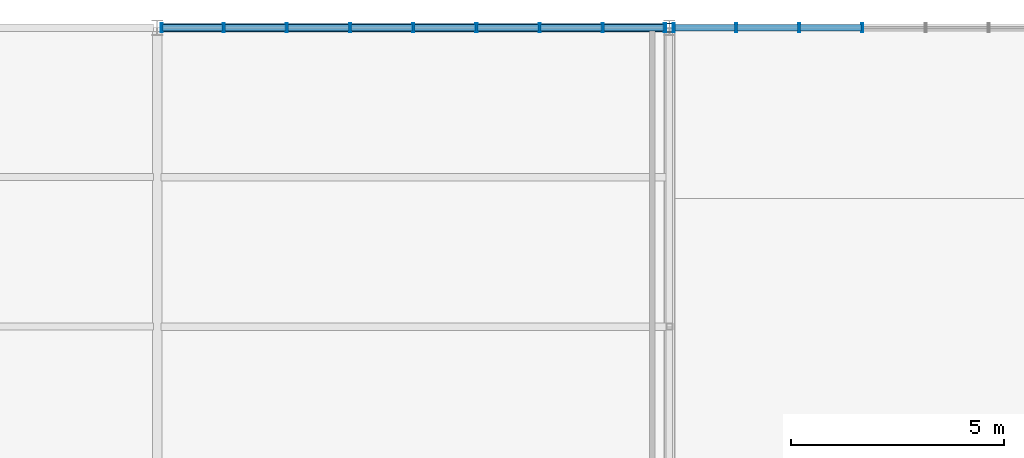
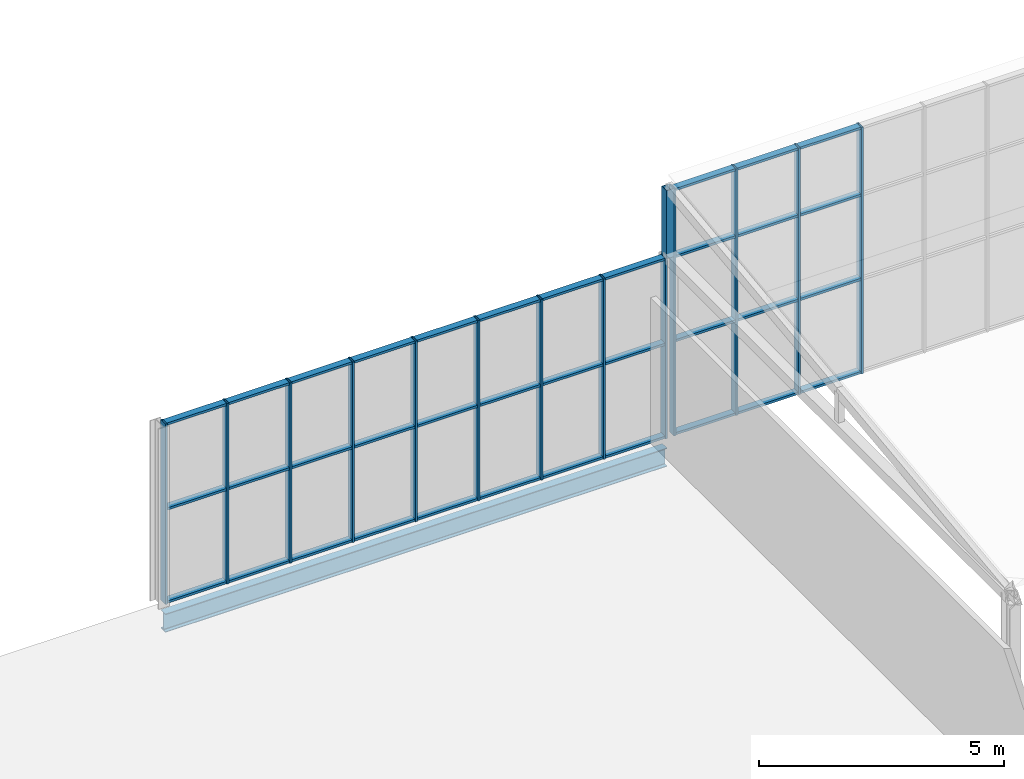
# One storey, part 77 of 104: 50 members, 1 beam, 2 elements without a shape of their own.
"""IFC4 building model written with IfcOpenShell, lengths in metres."""

from ifc_helpers import new_model, si_unit, direction, frame, origin, origin_2d, place, context, subcontext, project, spatial, hollow_rectangle, i_section, extrude, material, layer, layer_set, material_profile, profile_set, type_object, element, aggregate, save


model = new_model("IFC4")

# Units and contexts
model_context = context("Model", 3, precision=1e-05, world=origin(), true_north=direction((0.0, 1.0)))
body_context = subcontext(model_context, "Body", "Model", "MODEL_VIEW")
ifc_project = project(units=[si_unit("LENGTHUNIT", "METRE"), si_unit("AREAUNIT", "SQUARE_METRE"), si_unit("VOLUMEUNIT", "CUBIC_METRE"), si_unit("PLANEANGLEUNIT", "RADIAN"), si_unit("MASSUNIT", "GRAM", prefix="KILO")], contexts=[model_context])

# Site, building, storey
site_placement = place(None, origin())
site = spatial("IfcSite", under=ifc_project, at=site_placement, CompositionType="ELEMENT")
building_placement = place(site_placement, origin())
building = spatial("IfcBuilding", under=site, at=building_placement, Name="Solvenia Promenade Tram Depot", CompositionType="ELEMENT")
storey_placement = place(building_placement, frame((0.0, 0.0, 9.0)))
storey = spatial("IfcBuildingStorey", under=building, at=storey_placement, Name="L02", CompositionType="ELEMENT", Elevation=9.0)

# Curtain wall, members
ifc_material_1 = material(Name="Anodized aluminium AW-6063 T6", Category="aluminium")
ifc_layer = layer(ifc_material_1, 0.080078125, Name="Anodized aluminium AW-6063 T6", Category="aluminium")
ifc_layer_set = layer_set([ifc_layer], Name="Anodized aluminium AW-6063 T6")
curtain_wall_type = type_object("IfcCurtainWallType", Name="CW-Clerest-1500", PredefinedType="NOTDEFINED", material=ifc_layer_set)
curtain_wall_1_placement = place(storey_placement, origin())
curtain_wall_1 = element("IfcCurtainWall", 1, at=curtain_wall_1_placement, inside=storey, type_object=curtain_wall_type, Name="Curtain Wall CW-V2N-L2-150", PredefinedType="NOTDEFINED")
ifc_material_profile_1 = material_profile(ifc_material_1, hollow_rectangle(XDim=0.199951171875, YDim=0.048095703125, WallThickness=0.00390625, at=origin_2d()), Name="ALU-M3", Category="aluminium")
ifc_profile_set_1 = profile_set([ifc_material_profile_1], Name="Anodized aluminium AW-6063 T6")
member_type_1 = type_object("IfcMemberType", Name="CWM-Mullion-3", PredefinedType="MULLION", material=ifc_profile_set_1)
member_1_placement = place(storey_placement, frame((150.10400390625, 66.0, 0.0), z_axis=(0.0, 0.0, 1.0), x_axis=(0.0, 1.0, 0.0)))
member_1 = element("IfcMember", 2, at=member_1_placement, type_object=member_type_1, Name="CW-4 mullion 1", PredefinedType="MULLION", context=body_context, shape_type="SweptSolid", body=[
    extrude(hollow_rectangle(XDim=0.199951171875, YDim=0.048095703125, WallThickness=0.00390625, at=origin_2d()), origin(), (0.0, 0.0, 1.0), 4.5),
])
member_2_placement = place(storey_placement, frame((151.56005859375, 66.0, 0.0), z_axis=(0.0, 0.0, 1.0), x_axis=(0.0, 1.0, 0.0)))
member_2 = element("IfcMember", 3, at=member_2_placement, type_object=member_type_1, Name="CW-4 mullion 2", PredefinedType="MULLION", context=body_context, shape_type="SweptSolid", body=[
    extrude(hollow_rectangle(XDim=0.199951171875, YDim=0.048095703125, WallThickness=0.00390625, at=origin_2d()), origin(), (0.0, 0.0, 1.0), 4.5),
])
member_3_placement = place(storey_placement, frame((153.0400390625, 66.0, 0.0), z_axis=(0.0, 0.0, 1.0), x_axis=(0.0, 1.0, 0.0)))
member_3 = element("IfcMember", 4, at=member_3_placement, type_object=member_type_1, Name="CW-4 mullion 3", PredefinedType="MULLION", context=body_context, shape_type="SweptSolid", body=[
    extrude(hollow_rectangle(XDim=0.199951171875, YDim=0.048095703125, WallThickness=0.00390625, at=origin_2d()), origin(), (0.0, 0.0, 1.0), 4.5),
])
member_4_placement = place(storey_placement, frame((154.52001953125, 66.0, 0.0), z_axis=(0.0, 0.0, 1.0), x_axis=(0.0, 1.0, 0.0)))
member_4 = element("IfcMember", 5, at=member_4_placement, type_object=member_type_1, Name="CW-4 mullion 4", PredefinedType="MULLION", context=body_context, shape_type="SweptSolid", body=[
    extrude(hollow_rectangle(XDim=0.199951171875, YDim=0.048095703125, WallThickness=0.00390625, at=origin_2d()), origin(), (0.0, 0.0, 1.0), 4.5),
])
member_5_placement = place(storey_placement, frame((156.0, 66.0, 0.0), z_axis=(0.0, 0.0, 1.0), x_axis=(0.0, 1.0, 0.0)))
member_5 = element("IfcMember", 6, at=member_5_placement, type_object=member_type_1, Name="CW-4 mullion 5", PredefinedType="MULLION", context=body_context, shape_type="SweptSolid", body=[
    extrude(hollow_rectangle(XDim=0.199951171875, YDim=0.048095703125, WallThickness=0.00390625, at=origin_2d()), origin(), (0.0, 0.0, 1.0), 4.5),
])
member_6_placement = place(storey_placement, frame((157.47998046875, 66.0, 0.0), z_axis=(0.0, 0.0, 1.0), x_axis=(0.0, 1.0, 0.0)))
member_6 = element("IfcMember", 7, at=member_6_placement, type_object=member_type_1, Name="CW-4 mullion 6", PredefinedType="MULLION", context=body_context, shape_type="SweptSolid", body=[
    extrude(hollow_rectangle(XDim=0.199951171875, YDim=0.048095703125, WallThickness=0.00390625, at=origin_2d()), origin(), (0.0, 0.0, 1.0), 4.5),
])
member_7_placement = place(storey_placement, frame((158.9599609375, 66.0, 0.0), z_axis=(0.0, 0.0, 1.0), x_axis=(0.0, 1.0, 0.0)))
member_7 = element("IfcMember", 8, at=member_7_placement, type_object=member_type_1, Name="CW-4 mullion 7", PredefinedType="MULLION", context=body_context, shape_type="SweptSolid", body=[
    extrude(hollow_rectangle(XDim=0.199951171875, YDim=0.048095703125, WallThickness=0.00390625, at=origin_2d()), origin(), (0.0, 0.0, 1.0), 4.5),
])
member_8_placement = place(storey_placement, frame((160.43994140625, 66.0, 0.0), z_axis=(0.0, 0.0, 1.0), x_axis=(0.0, 1.0, 0.0)))
member_8 = element("IfcMember", 9, at=member_8_placement, type_object=member_type_1, Name="CW-4 mullion 8", PredefinedType="MULLION", context=body_context, shape_type="SweptSolid", body=[
    extrude(hollow_rectangle(XDim=0.199951171875, YDim=0.048095703125, WallThickness=0.00390625, at=origin_2d()), origin(), (0.0, 0.0, 1.0), 4.5),
])
member_9_placement = place(storey_placement, frame((161.89599609375, 66.0, 0.0), z_axis=(0.0, 0.0, 1.0), x_axis=(0.0, 1.0, 0.0)))
member_9 = element("IfcMember", 10, at=member_9_placement, type_object=member_type_1, Name="CW-4 mullion 9", PredefinedType="MULLION", context=body_context, shape_type="SweptSolid", body=[
    extrude(hollow_rectangle(XDim=0.199951171875, YDim=0.048095703125, WallThickness=0.00390625, at=origin_2d()), origin(), (0.0, 0.0, 1.0), 4.5),
])

curtain_wall_2_placement = place(storey_placement, origin())
curtain_wall_2 = element("IfcCurtainWall", 11, at=curtain_wall_2_placement, inside=storey, type_object=curtain_wall_type, Name="Curtain Wall CW-V2N-L2-162", PredefinedType="NOTDEFINED")
member_10_placement = place(storey_placement, frame((162.10400390625, 66.0, 0.0), z_axis=(0.0, 0.0, 1.0), x_axis=(0.0, 1.0, 0.0)))
member_10 = element("IfcMember", 12, at=member_10_placement, type_object=member_type_1, Name="CW-4 mullion 1", PredefinedType="MULLION", context=body_context, shape_type="SweptSolid", body=[
    extrude(hollow_rectangle(XDim=0.199951171875, YDim=0.048095703125, WallThickness=0.00390625, at=origin_2d()), origin(), (0.0, 0.0, 1.0), 6.14990234375),
])
member_11_placement = place(storey_placement, frame((163.56005859375, 66.0, 0.0), z_axis=(0.0, 0.0, 1.0), x_axis=(0.0, 1.0, 0.0)))
member_11 = element("IfcMember", 13, at=member_11_placement, type_object=member_type_1, Name="CW-4 mullion 2", PredefinedType="MULLION", context=body_context, shape_type="SweptSolid", body=[
    extrude(hollow_rectangle(XDim=0.199951171875, YDim=0.048095703125, WallThickness=0.00390625, at=origin_2d()), origin(), (0.0, 0.0, 1.0), 6.14990234375),
])
member_12_placement = place(storey_placement, frame((165.0400390625, 66.0, 0.0), z_axis=(0.0, 0.0, 1.0), x_axis=(0.0, 1.0, 0.0)))
member_12 = element("IfcMember", 14, at=member_12_placement, type_object=member_type_1, Name="CW-4 mullion 3", PredefinedType="MULLION", context=body_context, shape_type="SweptSolid", body=[
    extrude(hollow_rectangle(XDim=0.199951171875, YDim=0.048095703125, WallThickness=0.00390625, at=origin_2d()), origin(), (0.0, 0.0, 1.0), 6.14990234375),
])
member_13_placement = place(storey_placement, frame((166.52001953125, 66.0, 0.0), z_axis=(0.0, 0.0, 1.0), x_axis=(0.0, 1.0, 0.0)))
member_13 = element("IfcMember", 15, at=member_13_placement, type_object=member_type_1, Name="CW-4 mullion 4", PredefinedType="MULLION", context=body_context, shape_type="SweptSolid", body=[
    extrude(hollow_rectangle(XDim=0.199951171875, YDim=0.048095703125, WallThickness=0.00390625, at=origin_2d()), origin(), (0.0, 0.0, 1.0), 6.14990234375),
])

# Member
ifc_material_profile_2 = material_profile(ifc_material_1, hollow_rectangle(XDim=0.159912109375, YDim=0.05810546875, WallThickness=0.00390625, at=origin_2d()), Name="ALU-T3", Category="aluminium")
ifc_profile_set_2 = profile_set([ifc_material_profile_2], Name="Anodized aluminium AW-6063 T6")
member_type_2 = type_object("IfcMemberType", Name="CWT-Transom-3", PredefinedType="USERDEFINED", material=ifc_profile_set_2)
member_14_placement = place(storey_placement, frame((150.1279296875, 66.0, 0.029052734375), z_axis=(1.0, 0.0, 0.0), x_axis=(0.0, 1.0, 0.0)))
member_14 = element("IfcMember", 16, at=member_14_placement, type_object=member_type_2, Name="CW-4 transom 1.1", ObjectType="TRANSOM", PredefinedType="USERDEFINED", context=body_context, shape_type="SweptSolid", body=[
    extrude(hollow_rectangle(XDim=0.159912109375, YDim=0.05810546875, WallThickness=0.00390625, at=origin_2d()), origin(), (0.0, 0.0, 1.0), 1.407958984375),
])

member_15_placement = place(storey_placement, frame((150.1279296875, 66.0, 2.35009765625), z_axis=(1.0, 0.0, 0.0), x_axis=(0.0, 1.0, 0.0)))
member_15 = element("IfcMember", 17, at=member_15_placement, type_object=member_type_2, Name="CW-4 transom 1.2", ObjectType="TRANSOM", PredefinedType="USERDEFINED", context=body_context, shape_type="SweptSolid", body=[
    extrude(hollow_rectangle(XDim=0.159912109375, YDim=0.05810546875, WallThickness=0.00390625, at=origin_2d()), origin(), (0.0, 0.0, 1.0), 1.407958984375),
])

member_16_placement = place(storey_placement, frame((150.1279296875, 66.0, 4.470947265625), z_axis=(1.0, 0.0, 0.0), x_axis=(0.0, 1.0, 0.0)))
member_16 = element("IfcMember", 18, at=member_16_placement, type_object=member_type_2, Name="CW-4 transom 1.3", ObjectType="TRANSOM", PredefinedType="USERDEFINED", context=body_context, shape_type="SweptSolid", body=[
    extrude(hollow_rectangle(XDim=0.159912109375, YDim=0.05810546875, WallThickness=0.00390625, at=origin_2d()), origin(), (0.0, 0.0, 1.0), 1.407958984375),
])

member_17_placement = place(storey_placement, frame((151.583984375, 66.0, 0.029052734375), z_axis=(1.0, 0.0, 0.0), x_axis=(0.0, 1.0, 0.0)))
member_17 = element("IfcMember", 19, at=member_17_placement, type_object=member_type_2, Name="CW-4 transom 2.1", ObjectType="TRANSOM", PredefinedType="USERDEFINED", context=body_context, shape_type="SweptSolid", body=[
    extrude(hollow_rectangle(XDim=0.159912109375, YDim=0.05810546875, WallThickness=0.00390625, at=origin_2d()), origin(), (0.0, 0.0, 1.0), 1.43212890625),
])

member_18_placement = place(storey_placement, frame((151.583984375, 66.0, 2.35009765625), z_axis=(1.0, 0.0, 0.0), x_axis=(0.0, 1.0, 0.0)))
member_18 = element("IfcMember", 20, at=member_18_placement, type_object=member_type_2, Name="CW-4 transom 2.2", ObjectType="TRANSOM", PredefinedType="USERDEFINED", context=body_context, shape_type="SweptSolid", body=[
    extrude(hollow_rectangle(XDim=0.159912109375, YDim=0.05810546875, WallThickness=0.00390625, at=origin_2d()), origin(), (0.0, 0.0, 1.0), 1.43212890625),
])

member_19_placement = place(storey_placement, frame((151.583984375, 66.0, 4.470947265625), z_axis=(1.0, 0.0, 0.0), x_axis=(0.0, 1.0, 0.0)))
member_19 = element("IfcMember", 21, at=member_19_placement, type_object=member_type_2, Name="CW-4 transom 2.3", ObjectType="TRANSOM", PredefinedType="USERDEFINED", context=body_context, shape_type="SweptSolid", body=[
    extrude(hollow_rectangle(XDim=0.159912109375, YDim=0.05810546875, WallThickness=0.00390625, at=origin_2d()), origin(), (0.0, 0.0, 1.0), 1.43212890625),
])

member_20_placement = place(storey_placement, frame((153.06396484375, 66.0, 0.029052734375), z_axis=(1.0, 0.0, 0.0), x_axis=(0.0, 1.0, 0.0)))
member_20 = element("IfcMember", 22, at=member_20_placement, type_object=member_type_2, Name="CW-4 transom 3.1", ObjectType="TRANSOM", PredefinedType="USERDEFINED", context=body_context, shape_type="SweptSolid", body=[
    extrude(hollow_rectangle(XDim=0.159912109375, YDim=0.05810546875, WallThickness=0.00390625, at=origin_2d()), origin(), (0.0, 0.0, 1.0), 1.43212890625),
])

member_21_placement = place(storey_placement, frame((153.06396484375, 66.0, 2.35009765625), z_axis=(1.0, 0.0, 0.0), x_axis=(0.0, 1.0, 0.0)))
member_21 = element("IfcMember", 23, at=member_21_placement, type_object=member_type_2, Name="CW-4 transom 3.2", ObjectType="TRANSOM", PredefinedType="USERDEFINED", context=body_context, shape_type="SweptSolid", body=[
    extrude(hollow_rectangle(XDim=0.159912109375, YDim=0.05810546875, WallThickness=0.00390625, at=origin_2d()), origin(), (0.0, 0.0, 1.0), 1.43212890625),
])

member_22_placement = place(storey_placement, frame((153.06396484375, 66.0, 4.470947265625), z_axis=(1.0, 0.0, 0.0), x_axis=(0.0, 1.0, 0.0)))
member_22 = element("IfcMember", 24, at=member_22_placement, type_object=member_type_2, Name="CW-4 transom 3.3", ObjectType="TRANSOM", PredefinedType="USERDEFINED", context=body_context, shape_type="SweptSolid", body=[
    extrude(hollow_rectangle(XDim=0.159912109375, YDim=0.05810546875, WallThickness=0.00390625, at=origin_2d()), origin(), (0.0, 0.0, 1.0), 1.43212890625),
])

member_23_placement = place(storey_placement, frame((154.5439453125, 66.0, 0.029052734375), z_axis=(1.0, 0.0, 0.0), x_axis=(0.0, 1.0, 0.0)))
member_23 = element("IfcMember", 25, at=member_23_placement, type_object=member_type_2, Name="CW-4 transom 4.1", ObjectType="TRANSOM", PredefinedType="USERDEFINED", context=body_context, shape_type="SweptSolid", body=[
    extrude(hollow_rectangle(XDim=0.159912109375, YDim=0.05810546875, WallThickness=0.00390625, at=origin_2d()), origin(), (0.0, 0.0, 1.0), 1.43212890625),
])

member_24_placement = place(storey_placement, frame((154.5439453125, 66.0, 2.35009765625), z_axis=(1.0, 0.0, 0.0), x_axis=(0.0, 1.0, 0.0)))
member_24 = element("IfcMember", 26, at=member_24_placement, type_object=member_type_2, Name="CW-4 transom 4.2", ObjectType="TRANSOM", PredefinedType="USERDEFINED", context=body_context, shape_type="SweptSolid", body=[
    extrude(hollow_rectangle(XDim=0.159912109375, YDim=0.05810546875, WallThickness=0.00390625, at=origin_2d()), origin(), (0.0, 0.0, 1.0), 1.43212890625),
])

member_25_placement = place(storey_placement, frame((154.5439453125, 66.0, 4.470947265625), z_axis=(1.0, 0.0, 0.0), x_axis=(0.0, 1.0, 0.0)))
member_25 = element("IfcMember", 27, at=member_25_placement, type_object=member_type_2, Name="CW-4 transom 4.3", ObjectType="TRANSOM", PredefinedType="USERDEFINED", context=body_context, shape_type="SweptSolid", body=[
    extrude(hollow_rectangle(XDim=0.159912109375, YDim=0.05810546875, WallThickness=0.00390625, at=origin_2d()), origin(), (0.0, 0.0, 1.0), 1.43212890625),
])

member_26_placement = place(storey_placement, frame((156.02392578125, 66.0, 0.029052734375), z_axis=(1.0, 0.0, 0.0), x_axis=(0.0, 1.0, 0.0)))
member_26 = element("IfcMember", 28, at=member_26_placement, type_object=member_type_2, Name="CW-4 transom 5.1", ObjectType="TRANSOM", PredefinedType="USERDEFINED", context=body_context, shape_type="SweptSolid", body=[
    extrude(hollow_rectangle(XDim=0.159912109375, YDim=0.05810546875, WallThickness=0.00390625, at=origin_2d()), origin(), (0.0, 0.0, 1.0), 1.43212890625),
])

member_27_placement = place(storey_placement, frame((156.02392578125, 66.0, 2.35009765625), z_axis=(1.0, 0.0, 0.0), x_axis=(0.0, 1.0, 0.0)))
member_27 = element("IfcMember", 29, at=member_27_placement, type_object=member_type_2, Name="CW-4 transom 5.2", ObjectType="TRANSOM", PredefinedType="USERDEFINED", context=body_context, shape_type="SweptSolid", body=[
    extrude(hollow_rectangle(XDim=0.159912109375, YDim=0.05810546875, WallThickness=0.00390625, at=origin_2d()), origin(), (0.0, 0.0, 1.0), 1.43212890625),
])

member_28_placement = place(storey_placement, frame((156.02392578125, 66.0, 4.470947265625), z_axis=(1.0, 0.0, 0.0), x_axis=(0.0, 1.0, 0.0)))
member_28 = element("IfcMember", 30, at=member_28_placement, type_object=member_type_2, Name="CW-4 transom 5.3", ObjectType="TRANSOM", PredefinedType="USERDEFINED", context=body_context, shape_type="SweptSolid", body=[
    extrude(hollow_rectangle(XDim=0.159912109375, YDim=0.05810546875, WallThickness=0.00390625, at=origin_2d()), origin(), (0.0, 0.0, 1.0), 1.43212890625),
])

member_29_placement = place(storey_placement, frame((157.50390625, 66.0, 0.029052734375), z_axis=(1.0, 0.0, 0.0), x_axis=(0.0, 1.0, 0.0)))
member_29 = element("IfcMember", 31, at=member_29_placement, type_object=member_type_2, Name="CW-4 transom 6.1", ObjectType="TRANSOM", PredefinedType="USERDEFINED", context=body_context, shape_type="SweptSolid", body=[
    extrude(hollow_rectangle(XDim=0.159912109375, YDim=0.05810546875, WallThickness=0.00390625, at=origin_2d()), origin(), (0.0, 0.0, 1.0), 1.43212890625),
])

member_30_placement = place(storey_placement, frame((157.50390625, 66.0, 2.35009765625), z_axis=(1.0, 0.0, 0.0), x_axis=(0.0, 1.0, 0.0)))
member_30 = element("IfcMember", 32, at=member_30_placement, type_object=member_type_2, Name="CW-4 transom 6.2", ObjectType="TRANSOM", PredefinedType="USERDEFINED", context=body_context, shape_type="SweptSolid", body=[
    extrude(hollow_rectangle(XDim=0.159912109375, YDim=0.05810546875, WallThickness=0.00390625, at=origin_2d()), origin(), (0.0, 0.0, 1.0), 1.43212890625),
])

member_31_placement = place(storey_placement, frame((157.50390625, 66.0, 4.470947265625), z_axis=(1.0, 0.0, 0.0), x_axis=(0.0, 1.0, 0.0)))
member_31 = element("IfcMember", 33, at=member_31_placement, type_object=member_type_2, Name="CW-4 transom 6.3", ObjectType="TRANSOM", PredefinedType="USERDEFINED", context=body_context, shape_type="SweptSolid", body=[
    extrude(hollow_rectangle(XDim=0.159912109375, YDim=0.05810546875, WallThickness=0.00390625, at=origin_2d()), origin(), (0.0, 0.0, 1.0), 1.43212890625),
])

member_32_placement = place(storey_placement, frame((158.98388671875, 66.0, 0.029052734375), z_axis=(1.0, 0.0, 0.0), x_axis=(0.0, 1.0, 0.0)))
member_32 = element("IfcMember", 34, at=member_32_placement, type_object=member_type_2, Name="CW-4 transom 7.1", ObjectType="TRANSOM", PredefinedType="USERDEFINED", context=body_context, shape_type="SweptSolid", body=[
    extrude(hollow_rectangle(XDim=0.159912109375, YDim=0.05810546875, WallThickness=0.00390625, at=origin_2d()), origin(), (0.0, 0.0, 1.0), 1.43212890625),
])

member_33_placement = place(storey_placement, frame((158.98388671875, 66.0, 2.35009765625), z_axis=(1.0, 0.0, 0.0), x_axis=(0.0, 1.0, 0.0)))
member_33 = element("IfcMember", 35, at=member_33_placement, type_object=member_type_2, Name="CW-4 transom 7.2", ObjectType="TRANSOM", PredefinedType="USERDEFINED", context=body_context, shape_type="SweptSolid", body=[
    extrude(hollow_rectangle(XDim=0.159912109375, YDim=0.05810546875, WallThickness=0.00390625, at=origin_2d()), origin(), (0.0, 0.0, 1.0), 1.43212890625),
])

member_34_placement = place(storey_placement, frame((158.98388671875, 66.0, 4.470947265625), z_axis=(1.0, 0.0, 0.0), x_axis=(0.0, 1.0, 0.0)))
member_34 = element("IfcMember", 36, at=member_34_placement, type_object=member_type_2, Name="CW-4 transom 7.3", ObjectType="TRANSOM", PredefinedType="USERDEFINED", context=body_context, shape_type="SweptSolid", body=[
    extrude(hollow_rectangle(XDim=0.159912109375, YDim=0.05810546875, WallThickness=0.00390625, at=origin_2d()), origin(), (0.0, 0.0, 1.0), 1.43212890625),
])

member_35_placement = place(storey_placement, frame((160.464111328125, 66.0, 0.029052734375), z_axis=(1.0, 0.0, 0.0), x_axis=(0.0, 1.0, 0.0)))
member_35 = element("IfcMember", 37, at=member_35_placement, type_object=member_type_2, Name="CW-4 transom 8.1", ObjectType="TRANSOM", PredefinedType="USERDEFINED", context=body_context, shape_type="SweptSolid", body=[
    extrude(hollow_rectangle(XDim=0.159912109375, YDim=0.05810546875, WallThickness=0.00390625, at=origin_2d()), origin(), (0.0, 0.0, 1.0), 1.407958984375),
])

member_36_placement = place(storey_placement, frame((160.464111328125, 66.0, 2.35009765625), z_axis=(1.0, 0.0, 0.0), x_axis=(0.0, 1.0, 0.0)))
member_36 = element("IfcMember", 38, at=member_36_placement, type_object=member_type_2, Name="CW-4 transom 8.2", ObjectType="TRANSOM", PredefinedType="USERDEFINED", context=body_context, shape_type="SweptSolid", body=[
    extrude(hollow_rectangle(XDim=0.159912109375, YDim=0.05810546875, WallThickness=0.00390625, at=origin_2d()), origin(), (0.0, 0.0, 1.0), 1.407958984375),
])

member_37_placement = place(storey_placement, frame((160.464111328125, 66.0, 4.470947265625), z_axis=(1.0, 0.0, 0.0), x_axis=(0.0, 1.0, 0.0)))
member_37 = element("IfcMember", 39, at=member_37_placement, type_object=member_type_2, Name="CW-4 transom 8.3", ObjectType="TRANSOM", PredefinedType="USERDEFINED", context=body_context, shape_type="SweptSolid", body=[
    extrude(hollow_rectangle(XDim=0.159912109375, YDim=0.05810546875, WallThickness=0.00390625, at=origin_2d()), origin(), (0.0, 0.0, 1.0), 1.407958984375),
])

aggregate(curtain_wall_1, [member_1, member_2, member_3, member_4, member_5, member_6, member_7, member_8, member_9, member_14, member_15, member_16, member_17, member_18, member_19, member_20, member_21, member_22, member_23, member_24, member_25, member_26, member_27, member_28, member_29, member_30, member_31, member_32, member_33, member_34, member_35, member_36, member_37])

member_38_placement = place(storey_placement, frame((162.1279296875, 66.0, 0.029052734375), z_axis=(1.0, 0.0, 0.0), x_axis=(0.0, 1.0, 0.0)))
member_38 = element("IfcMember", 40, at=member_38_placement, type_object=member_type_2, Name="CW-4 transom 1.1", ObjectType="TRANSOM", PredefinedType="USERDEFINED", context=body_context, shape_type="SweptSolid", body=[
    extrude(hollow_rectangle(XDim=0.159912109375, YDim=0.05810546875, WallThickness=0.00390625, at=origin_2d()), origin(), (0.0, 0.0, 1.0), 1.407958984375),
])

member_39_placement = place(storey_placement, frame((162.1279296875, 66.0, 2.35009765625), z_axis=(1.0, 0.0, 0.0), x_axis=(0.0, 1.0, 0.0)))
member_39 = element("IfcMember", 41, at=member_39_placement, type_object=member_type_2, Name="CW-4 transom 1.2", ObjectType="TRANSOM", PredefinedType="USERDEFINED", context=body_context, shape_type="SweptSolid", body=[
    extrude(hollow_rectangle(XDim=0.159912109375, YDim=0.05810546875, WallThickness=0.00390625, at=origin_2d()), origin(), (0.0, 0.0, 1.0), 1.407958984375),
])

member_40_placement = place(storey_placement, frame((162.1279296875, 66.0, 4.449951171875), z_axis=(1.0, 0.0, 0.0), x_axis=(0.0, 1.0, 0.0)))
member_40 = element("IfcMember", 42, at=member_40_placement, type_object=member_type_2, Name="CW-4 transom 1.3", ObjectType="TRANSOM", PredefinedType="USERDEFINED", context=body_context, shape_type="SweptSolid", body=[
    extrude(hollow_rectangle(XDim=0.159912109375, YDim=0.05810546875, WallThickness=0.00390625, at=origin_2d()), origin(), (0.0, 0.0, 1.0), 1.407958984375),
])

member_41_placement = place(storey_placement, frame((162.1279296875, 66.0, 6.12109375), z_axis=(1.0, 0.0, 0.0), x_axis=(0.0, 1.0, 0.0)))
member_41 = element("IfcMember", 43, at=member_41_placement, type_object=member_type_2, Name="CW-4 transom 1.4", ObjectType="TRANSOM", PredefinedType="USERDEFINED", context=body_context, shape_type="SweptSolid", body=[
    extrude(hollow_rectangle(XDim=0.159912109375, YDim=0.05810546875, WallThickness=0.00390625, at=origin_2d()), origin(), (0.0, 0.0, 1.0), 1.407958984375),
])

member_42_placement = place(storey_placement, frame((163.583984375, 66.0, 0.029052734375), z_axis=(1.0, 0.0, 0.0), x_axis=(0.0, 1.0, 0.0)))
member_42 = element("IfcMember", 44, at=member_42_placement, type_object=member_type_2, Name="CW-4 transom 2.1", ObjectType="TRANSOM", PredefinedType="USERDEFINED", context=body_context, shape_type="SweptSolid", body=[
    extrude(hollow_rectangle(XDim=0.159912109375, YDim=0.05810546875, WallThickness=0.00390625, at=origin_2d()), origin(), (0.0, 0.0, 1.0), 1.43212890625),
])

member_43_placement = place(storey_placement, frame((163.583984375, 66.0, 2.35009765625), z_axis=(1.0, 0.0, 0.0), x_axis=(0.0, 1.0, 0.0)))
member_43 = element("IfcMember", 45, at=member_43_placement, type_object=member_type_2, Name="CW-4 transom 2.2", ObjectType="TRANSOM", PredefinedType="USERDEFINED", context=body_context, shape_type="SweptSolid", body=[
    extrude(hollow_rectangle(XDim=0.159912109375, YDim=0.05810546875, WallThickness=0.00390625, at=origin_2d()), origin(), (0.0, 0.0, 1.0), 1.43212890625),
])

member_44_placement = place(storey_placement, frame((163.583984375, 66.0, 4.449951171875), z_axis=(1.0, 0.0, 0.0), x_axis=(0.0, 1.0, 0.0)))
member_44 = element("IfcMember", 46, at=member_44_placement, type_object=member_type_2, Name="CW-4 transom 2.3", ObjectType="TRANSOM", PredefinedType="USERDEFINED", context=body_context, shape_type="SweptSolid", body=[
    extrude(hollow_rectangle(XDim=0.159912109375, YDim=0.05810546875, WallThickness=0.00390625, at=origin_2d()), origin(), (0.0, 0.0, 1.0), 1.43212890625),
])

member_45_placement = place(storey_placement, frame((163.583984375, 66.0, 6.12109375), z_axis=(1.0, 0.0, 0.0), x_axis=(0.0, 1.0, 0.0)))
member_45 = element("IfcMember", 47, at=member_45_placement, type_object=member_type_2, Name="CW-4 transom 2.4", ObjectType="TRANSOM", PredefinedType="USERDEFINED", context=body_context, shape_type="SweptSolid", body=[
    extrude(hollow_rectangle(XDim=0.159912109375, YDim=0.05810546875, WallThickness=0.00390625, at=origin_2d()), origin(), (0.0, 0.0, 1.0), 1.43212890625),
])

member_46_placement = place(storey_placement, frame((165.06396484375, 66.0, 0.029052734375), z_axis=(1.0, 0.0, 0.0), x_axis=(0.0, 1.0, 0.0)))
member_46 = element("IfcMember", 48, at=member_46_placement, type_object=member_type_2, Name="CW-4 transom 3.1", ObjectType="TRANSOM", PredefinedType="USERDEFINED", context=body_context, shape_type="SweptSolid", body=[
    extrude(hollow_rectangle(XDim=0.159912109375, YDim=0.05810546875, WallThickness=0.00390625, at=origin_2d()), origin(), (0.0, 0.0, 1.0), 1.43212890625),
])

member_47_placement = place(storey_placement, frame((165.06396484375, 66.0, 2.35009765625), z_axis=(1.0, 0.0, 0.0), x_axis=(0.0, 1.0, 0.0)))
member_47 = element("IfcMember", 49, at=member_47_placement, type_object=member_type_2, Name="CW-4 transom 3.2", ObjectType="TRANSOM", PredefinedType="USERDEFINED", context=body_context, shape_type="SweptSolid", body=[
    extrude(hollow_rectangle(XDim=0.159912109375, YDim=0.05810546875, WallThickness=0.00390625, at=origin_2d()), origin(), (0.0, 0.0, 1.0), 1.43212890625),
])

member_48_placement = place(storey_placement, frame((165.06396484375, 66.0, 4.449951171875), z_axis=(1.0, 0.0, 0.0), x_axis=(0.0, 1.0, 0.0)))
member_48 = element("IfcMember", 50, at=member_48_placement, type_object=member_type_2, Name="CW-4 transom 3.3", ObjectType="TRANSOM", PredefinedType="USERDEFINED", context=body_context, shape_type="SweptSolid", body=[
    extrude(hollow_rectangle(XDim=0.159912109375, YDim=0.05810546875, WallThickness=0.00390625, at=origin_2d()), origin(), (0.0, 0.0, 1.0), 1.43212890625),
])

member_49_placement = place(storey_placement, frame((165.06396484375, 66.0, 6.12109375), z_axis=(1.0, 0.0, 0.0), x_axis=(0.0, 1.0, 0.0)))
member_49 = element("IfcMember", 51, at=member_49_placement, type_object=member_type_2, Name="CW-4 transom 3.4", ObjectType="TRANSOM", PredefinedType="USERDEFINED", context=body_context, shape_type="SweptSolid", body=[
    extrude(hollow_rectangle(XDim=0.159912109375, YDim=0.05810546875, WallThickness=0.00390625, at=origin_2d()), origin(), (0.0, 0.0, 1.0), 1.43212890625),
])

aggregate(curtain_wall_2, [member_10, member_11, member_12, member_13, member_38, member_39, member_40, member_41, member_42, member_43, member_44, member_45, member_46, member_47, member_48, member_49])

ifc_material_2 = material(Name="Structural steel ASTM A500 Gr. C", Category="steel")
ifc_material_profile_3 = material_profile(ifc_material_2, hollow_rectangle(XDim=0.199951171875, YDim=0.199951171875, WallThickness=0.010009765625, at=origin_2d()), Name="HSS200x200x10", Category="steel")
ifc_profile_set_3 = profile_set([ifc_material_profile_3], Name="Structural steel ASTM A500 Gr. C")
member_type_3 = type_object("IfcMemberType", Name="Post-HSS200x200x10", PredefinedType="POST", material=ifc_profile_set_3)
member_50_placement = place(storey_placement, frame((162.0, 66.0, 4.47998046875), z_axis=(0.0, 0.0, 1.0), x_axis=(1.0, 0.0, 0.0)))
element("IfcMember", 52, at=member_50_placement, inside=storey, type_object=member_type_3, Name="Workshop Sawtooth Post 2-08", PredefinedType="POST", context=body_context, shape_type="SweptSolid", body=[
    extrude(hollow_rectangle(XDim=0.199951171875, YDim=0.199951171875, WallThickness=0.010009765625, at=origin_2d()), origin(), (0.0, 0.0, 1.0), 1.699951171875),
])

# Beam
ifc_material_3 = material(Name="Structural steel ASTM A992 Gr. 50", Category="steel")
ifc_material_profile_4 = material_profile(ifc_material_3, i_section(OverallWidth=0.19091796875, OverallDepth=0.4599609375, WebThickness=0.010009765625, FlangeThickness=0.01611328125, FilletRadius=0.012939453125, at=origin_2d()), Name="W460x82", Category="steel")
ifc_profile_set_4 = profile_set([ifc_material_profile_4], Name="Structural steel ASTM A992 Gr. 50")
beam_type = type_object("IfcBeamType", Name="Spandrel-W460x82", PredefinedType="SPANDREL", material=ifc_profile_set_4)
beam_placement = place(storey_placement, frame((150.0849609375, 66.0, -0.469970703125), z_axis=(1.0, 0.0, 0.0), x_axis=(0.0, 1.0, 0.0)))
element("IfcBeam", 53, at=beam_placement, inside=storey, type_object=beam_type, Name="Perimeter Spandrel BM-L02-0468", PredefinedType="SPANDREL", context=body_context, shape_type="SweptSolid", body=[
    extrude(i_section(OverallWidth=0.19091796875, OverallDepth=0.4599609375, WebThickness=0.010009765625, FlangeThickness=0.01611328125, FilletRadius=0.012939453125, at=origin_2d()), origin(), (0.0, 0.0, 1.0), 11.830078125),
])

save(model, "model.ifc")
